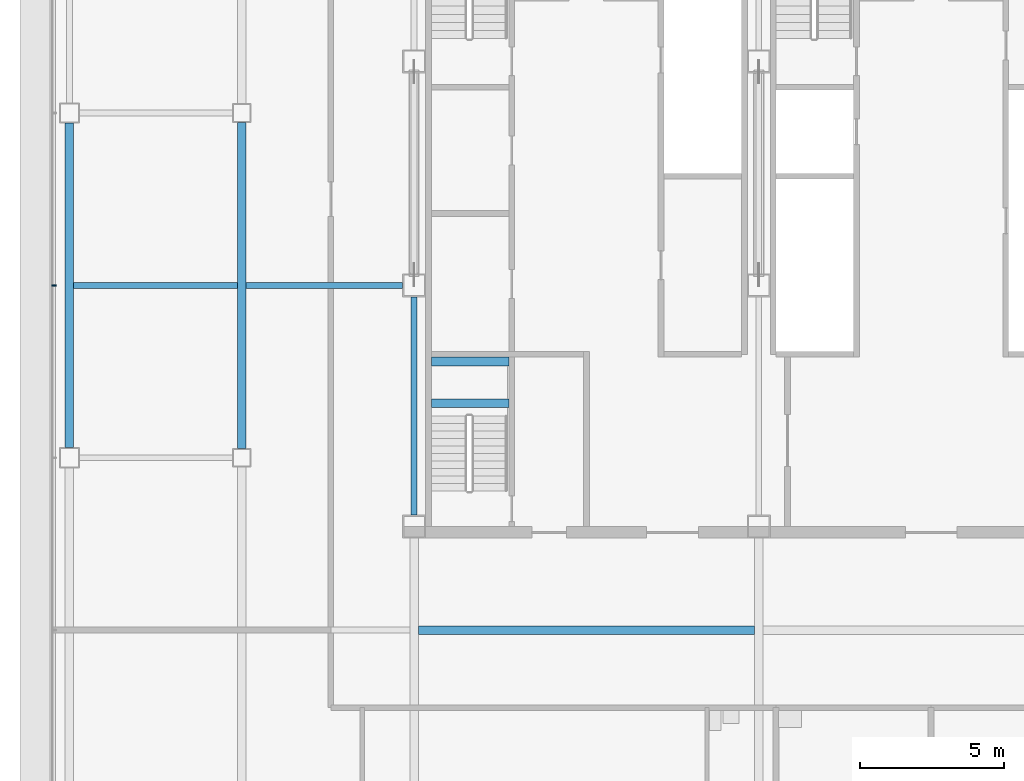
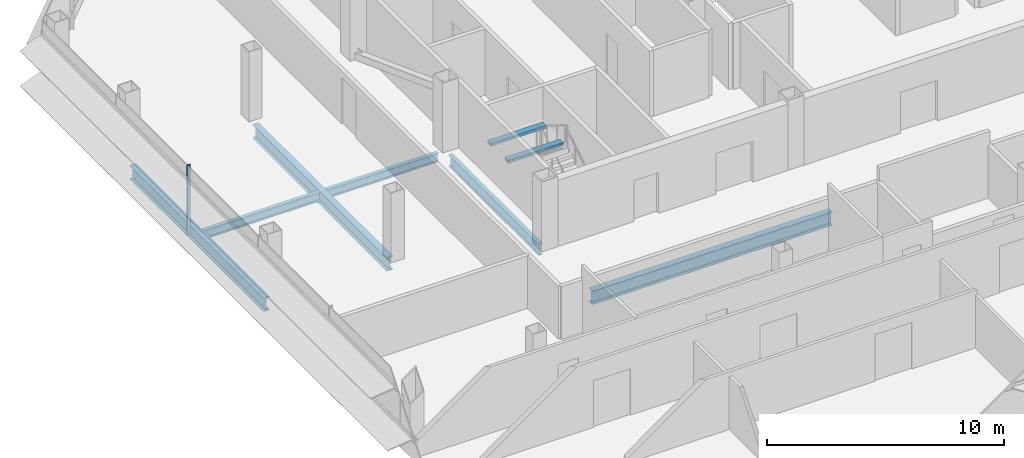
# One storey, part 6 of 24: 8 beams, 1 member, 1 element without a shape of its own.
"""IFC4 building model written with IfcOpenShell, lengths in metres."""

from ifc_helpers import new_model, si_unit, direction, frame, origin, origin_2d, place, context, subcontext, project, spatial, rectangle, i_section, extrude, material, material_profile, profile_set, type_object, element, aggregate, save


model = new_model("IFC4")

# Units and contexts
model_context = context("Model", 3, precision=1e-05, world=origin(), true_north=direction((0.0, 1.0)))
body_context = subcontext(model_context, "Body", "Model", "MODEL_VIEW")
ifc_project = project(units=[si_unit("LENGTHUNIT", "METRE"), si_unit("AREAUNIT", "SQUARE_METRE"), si_unit("VOLUMEUNIT", "CUBIC_METRE"), si_unit("PLANEANGLEUNIT", "RADIAN"), si_unit("MASSUNIT", "GRAM", prefix="KILO")], contexts=[model_context])

# Site, building, storey
site_placement = place(None, origin())
site = spatial("IfcSite", under=ifc_project, at=site_placement, CompositionType="ELEMENT")
building_placement = place(site_placement, origin())
building = spatial("IfcBuilding", under=site, at=building_placement, Name="Sorahane Residences", CompositionType="ELEMENT")
storey_placement = place(building_placement, frame((0.0, 0.0, 178.0)))
storey = spatial("IfcBuildingStorey", under=building, at=storey_placement, Name="L41", CompositionType="ELEMENT", Elevation=178.0)

# Curtain wall, member
ifc_material_1 = material(Name="Dark low-e glass and black anodised aluminium", Category="aluminium")
curtain_wall_type = type_object("IfcCurtainWallType", Name="Curtain wall CW-1 Typical unitised wall", PredefinedType="NOTDEFINED", material=ifc_material_1)
curtain_wall_placement = place(storey_placement, origin())
curtain_wall = element("IfcCurtainWall", 1, at=curtain_wall_placement, inside=storey, type_object=curtain_wall_type, Name="CW-1 curtain wall L41 W1", PredefinedType="NOTDEFINED")
ifc_material_2 = material(Name="Black anodised aluminium", Category="aluminium")
ifc_material_profile_1 = material_profile(ifc_material_2, rectangle(XDim=0.159912109375, YDim=0.050048828125, at=origin_2d()), Name="Curtain wall mullion CW-1 black anodised aluminium 50x160")
ifc_profile_set_1 = profile_set([ifc_material_profile_1], Name="Black anodised aluminium")
member_type = type_object("IfcMemberType", Name="Curtain wall mullion CW-1 black anodised aluminium 50x160", PredefinedType="MULLION", material=ifc_profile_set_1)
member_placement = place(storey_placement, frame((-6.5400390625, 30.0, -0.179931640625), z_axis=(0.0, 0.0, 1.0), x_axis=(-1.0, 0.0, 0.0)))
member = element("IfcMember", 2, at=member_placement, type_object=member_type, Name="CW-1 mullion L41 W1.3", PredefinedType="MULLION", context=body_context, shape_type="SweptSolid", body=[
    extrude(rectangle(XDim=0.159912109375, YDim=0.050048828125, at=origin_2d()), origin(), (0.0, 0.0, 1.0), 3.599853515625),
])
aggregate(curtain_wall, [member])

# Beams
ifc_material_3 = material(Name="Concrete C40", Category="concrete")
ifc_material_profile_2 = material_profile(ifc_material_3, rectangle(XDim=0.300048828125, YDim=0.139892578125, at=origin_2d()), Name="300x140")
ifc_profile_set_2 = profile_set([ifc_material_profile_2], Name="Concrete C40")
beam_type_1 = type_object("IfcBeamType", Name="RC landing beam 300 x 140 Concrete C40", PredefinedType="BEAM", material=ifc_profile_set_2)
for number, where, z_axis, x_axis, name in (
    (3, (6.60009765625, 25.89990234375, 1.530029296875), (1.0, 0.0, 0.0), (0.0, 1.0, 0.0), "Landing beam"),
    (4, (6.60009765625, 27.35009765625, 1.530029296875), (1.0, 0.0, 0.0), (0.0, 1.0, 0.0), "Landing beam"),
):
    element("IfcBeam", number, at=place(storey_placement, frame(where, z_axis=z_axis, x_axis=x_axis)), inside=storey, type_object=beam_type_1, Name=name, PredefinedType="BEAM", context=body_context, shape_type="SweptSolid", body=[
        extrude(rectangle(XDim=0.300048828125, YDim=0.139892578125, at=origin_2d()), origin(), (0.0, 0.0, 1.0), 2.699951171875),
    ])
ifc_material_4 = material(Name="Steel Q355B", Category="steel")
ifc_material_profile_3 = material_profile(ifc_material_4, i_section(OverallWidth=0.199951171875, OverallDepth=0.449951171875, WebThickness=0.009033203125, FlangeThickness=0.013916015625, FilletRadius=0.02001953125, at=origin_2d()), Name="HN 450x200x9x14")
ifc_profile_set_3 = profile_set([ifc_material_profile_3], Name="Steel Q355B")
beam_type_2 = type_object("IfcBeamType", Name="Steel floor beam HN 450x200x9x14 Q355B", PredefinedType="BEAM", material=ifc_profile_set_3)
beam_1_placement = place(storey_placement, frame((-5.85009765625, 30.0, -0.405029296875), z_axis=(1.0, 0.0, 0.0), x_axis=(0.0, 1.0, 0.0)))
element("IfcBeam", 5, at=beam_1_placement, inside=storey, type_object=beam_type_2, Name="Beam L41 085", PredefinedType="BEAM", context=body_context, shape_type="SweptSolid", body=[
    extrude(i_section(OverallWidth=0.199951171875, OverallDepth=0.449951171875, WebThickness=0.009033203125, FlangeThickness=0.013916015625, FilletRadius=0.02001953125, at=origin_2d()), origin(), (0.0, 0.0, 1.0), 5.7001953125),
])
beam_2_placement = place(storey_placement, frame((0.14990234375, 30.0, -0.405029296875), z_axis=(1.0, 0.0, 0.0), x_axis=(0.0, 1.0, 0.0)))
element("IfcBeam", 6, at=beam_2_placement, inside=storey, type_object=beam_type_2, Name="Beam L41 086", PredefinedType="BEAM", context=body_context, shape_type="SweptSolid", body=[
    extrude(i_section(OverallWidth=0.199951171875, OverallDepth=0.449951171875, WebThickness=0.009033203125, FlangeThickness=0.013916015625, FilletRadius=0.02001953125, at=origin_2d()), origin(), (0.0, 0.0, 1.0), 5.4501953125),
])
ifc_material_5 = material(Name="Steel Q355B", Category="steel")
ifc_material_profile_4 = material_profile(ifc_material_5, i_section(OverallWidth=0.199951171875, OverallDepth=0.60009765625, WebThickness=0.010986328125, FlangeThickness=0.01708984375, FilletRadius=0.02392578125, at=origin_2d()), Name="HN 600x200x11x17")
ifc_profile_set_4 = profile_set([ifc_material_profile_4], Name="Steel Q355B")
beam_type_3 = type_object("IfcBeamType", Name="Steel floor beam HN 600x200x11x17 Q355B", PredefinedType="BEAM", material=ifc_profile_set_4)
beam_3_placement = place(storey_placement, frame((6.0, 22.0, -0.47998046875), z_axis=(0.0, 1.0, 0.0), x_axis=(-1.0, 0.0, 0.0)))
element("IfcBeam", 7, at=beam_3_placement, inside=storey, type_object=beam_type_3, Name="Beam L41 030", PredefinedType="BEAM", context=body_context, shape_type="SweptSolid", body=[
    extrude(i_section(OverallWidth=0.199951171875, OverallDepth=0.60009765625, WebThickness=0.010986328125, FlangeThickness=0.01708984375, FilletRadius=0.02392578125, at=origin_2d()), origin(), (0.0, 0.0, 1.0), 7.60009765625),
])
ifc_material_6 = material(Name="Steel Q355B", Category="steel")
ifc_material_profile_5 = material_profile(ifc_material_6, i_section(OverallWidth=0.300048828125, OverallDepth=0.699951171875, WebThickness=0.012939453125, FlangeThickness=0.02392578125, FilletRadius=0.028076171875, at=origin_2d()), Name="HN 700x300x13x24")
ifc_profile_set_5 = profile_set([ifc_material_profile_5], Name="Steel Q355B")
beam_type_4 = type_object("IfcBeamType", Name="Steel floor beam HN 700x300x13x24 Q355B", PredefinedType="BEAM", material=ifc_profile_set_5)
beam_4_placement = place(storey_placement, frame((-6.0, 24.35009765625, -0.530029296875), z_axis=(0.0, 1.0, 0.0), x_axis=(-1.0, 0.0, 0.0)))
element("IfcBeam", 8, at=beam_4_placement, inside=storey, type_object=beam_type_4, Name="Beam L41 022", PredefinedType="BEAM", context=body_context, shape_type="SweptSolid", body=[
    extrude(i_section(OverallWidth=0.300048828125, OverallDepth=0.699951171875, WebThickness=0.012939453125, FlangeThickness=0.02392578125, FilletRadius=0.028076171875, at=origin_2d()), origin(), (0.0, 0.0, 1.0), 11.2998046875),
])
beam_5_placement = place(storey_placement, frame((0.0, 24.324951171875, -0.530029296875), z_axis=(0.0, 1.0, 0.0), x_axis=(-1.0, 0.0, 0.0)))
element("IfcBeam", 9, at=beam_5_placement, inside=storey, type_object=beam_type_4, Name="Beam L41 026", PredefinedType="BEAM", context=body_context, shape_type="SweptSolid", body=[
    extrude(i_section(OverallWidth=0.300048828125, OverallDepth=0.699951171875, WebThickness=0.012939453125, FlangeThickness=0.02392578125, FilletRadius=0.028076171875, at=origin_2d()), origin(), (0.0, 0.0, 1.0), 11.35009765625),
])
beam_6_placement = place(storey_placement, frame((6.14990234375, 18.0, -0.530029296875), z_axis=(1.0, 0.0, 0.0), x_axis=(0.0, 1.0, 0.0)))
element("IfcBeam", 10, at=beam_6_placement, inside=storey, type_object=beam_type_4, Name="Beam L41 080", PredefinedType="BEAM", context=body_context, shape_type="SweptSolid", body=[
    extrude(i_section(OverallWidth=0.300048828125, OverallDepth=0.699951171875, WebThickness=0.012939453125, FlangeThickness=0.02392578125, FilletRadius=0.028076171875, at=origin_2d()), origin(), (0.0, 0.0, 1.0), 11.7001953125),
])

save(model, "model.ifc")
